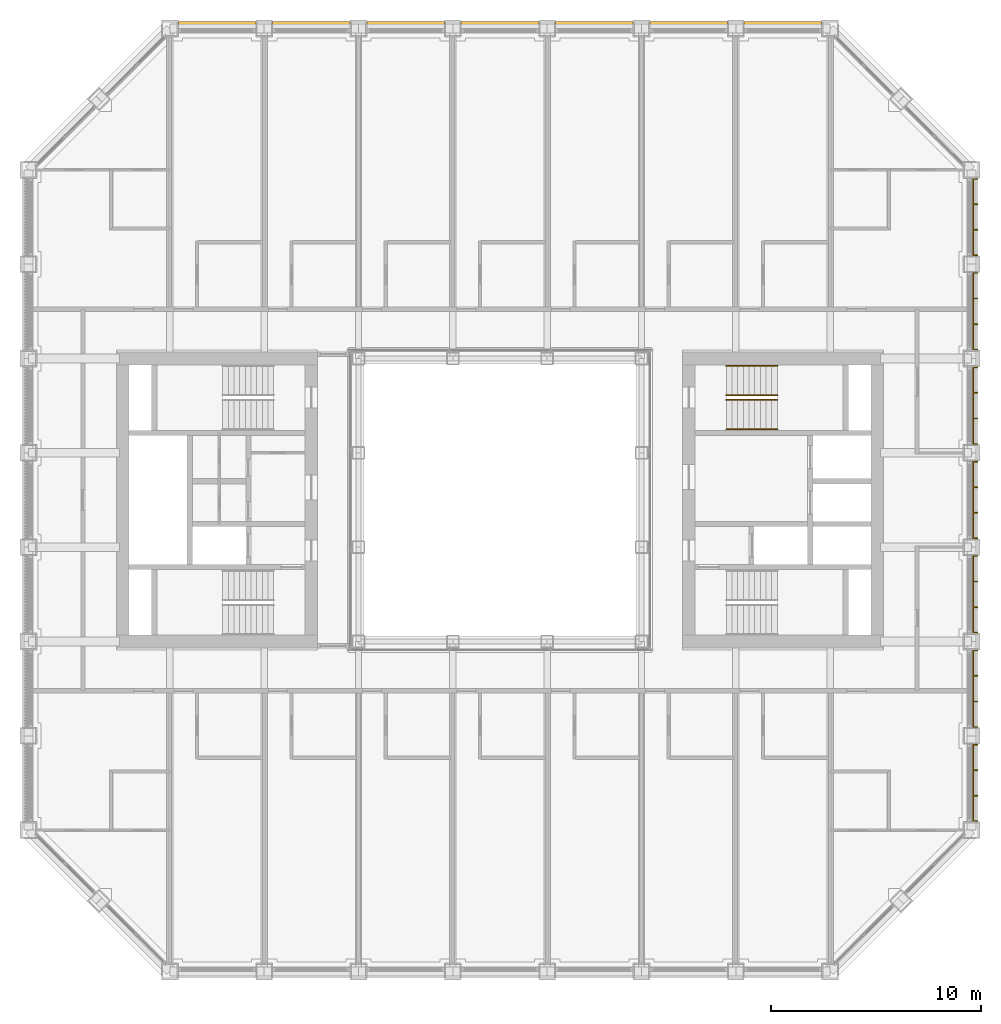
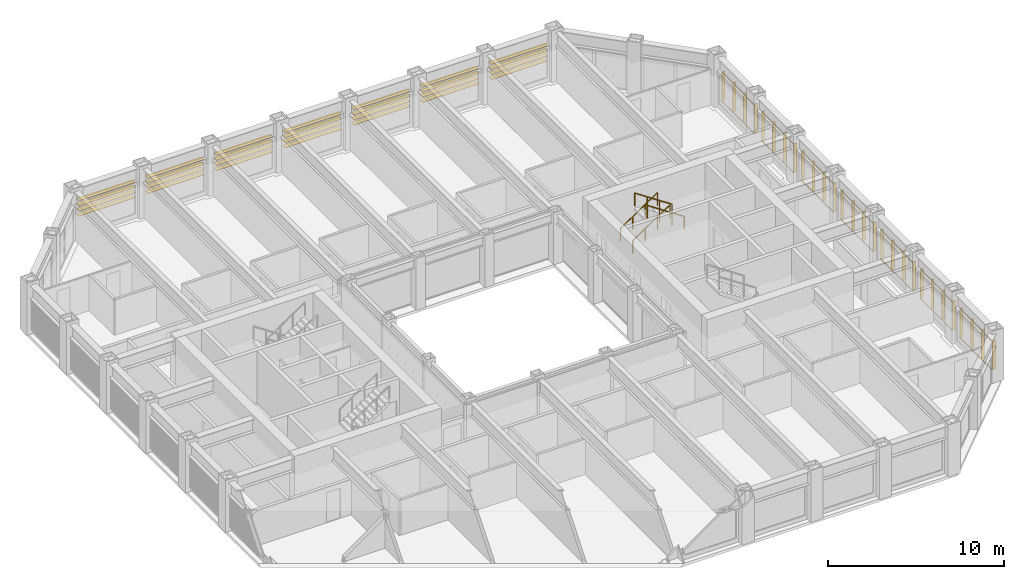
# One storey, part 18 of 18: 4 railings, 2 shading devices.
"""IFC4 building model written with IfcOpenShell, lengths in metres."""

from ifc_helpers import new_model, si_unit, direction, frame, origin, origin_2d, place, context, subcontext, project, spatial, rectangle, circle, extrude, material, type_object, element, save


model = new_model("IFC4")

# Units and contexts
model_context = context("Model", 3, precision=1e-05, world=origin(), true_north=direction((0.0, 1.0)))
body_context = subcontext(model_context, "Body", "Model", "MODEL_VIEW")
ifc_project = project(units=[si_unit("LENGTHUNIT", "METRE"), si_unit("AREAUNIT", "SQUARE_METRE"), si_unit("VOLUMEUNIT", "CUBIC_METRE"), si_unit("PLANEANGLEUNIT", "RADIAN"), si_unit("MASSUNIT", "GRAM", prefix="KILO")], contexts=[model_context])

# Site, building, storey
site_placement = place(None, origin())
site = spatial("IfcSite", under=ifc_project, at=site_placement, CompositionType="ELEMENT")
building_placement = place(site_placement, origin())
building = spatial("IfcBuilding", under=site, at=building_placement, Name="Msasa Ring Tower", CompositionType="ELEMENT")
storey_placement = place(building_placement, frame((0.0, 0.0, 125.60009765625)))
storey = spatial("IfcBuildingStorey", under=building, at=storey_placement, Name="L32", CompositionType="ELEMENT", Elevation=125.60009765625)

# Shading device
ifc_material_1 = material(Name="Extruded terracotta on aluminium carriers", Category="masonry")
shading_device_type_1 = type_object("IfcShadingDeviceType", Name="BS2 TERRACOTTA FIN SCREEN 40x200 AT 1350", PredefinedType="USERDEFINED", material=ifc_material_1)
shading_device_1_placement = place(storey_placement, origin())
element("IfcShadingDevice", 1, at=shading_device_1_placement, inside=storey, type_object=shading_device_type_1, Name="Terracotta fin screen E L32", ObjectType="BAGUETTE", PredefinedType="USERDEFINED", context=body_context, shape_type="SweptSolid", body=[
    extrude(rectangle(XDim=0.06005859375, YDim=0.0400390625, at=origin_2d()), frame((22.580078125, -15.35009765625, 0.329833984375), z_axis=(0.0, 1.0, 0.0), x_axis=(0.0, 0.0, 1.0)), (0.0, 0.0, 1.0), 3.699951171875),
    extrude(rectangle(XDim=0.06005859375, YDim=0.0400390625, at=origin_2d()), frame((22.580078125, -15.35009765625, 2.298828125), z_axis=(0.0, 1.0, 0.0), x_axis=(0.0, 0.0, 1.0)), (0.0, 0.0, 1.0), 3.699951171875),
    extrude(rectangle(XDim=0.0400390625, YDim=0.199951171875, at=origin_2d()), frame((22.695068359375, -15.330078125, 0.2998046875), z_axis=(0.0, 0.0, 1.0), x_axis=(0.0, 1.0, 0.0)), (0.0, 0.0, 1.0), 2.029052734375),
    extrude(rectangle(XDim=0.0400390625, YDim=0.199951171875, at=origin_2d()), frame((22.695068359375, -14.110107421875, 0.2998046875), z_axis=(0.0, 0.0, 1.0), x_axis=(0.0, 1.0, 0.0)), (0.0, 0.0, 1.0), 2.029052734375),
    extrude(rectangle(XDim=0.0400390625, YDim=0.199951171875, at=origin_2d()), frame((22.695068359375, -12.889892578125, 0.2998046875), z_axis=(0.0, 0.0, 1.0), x_axis=(0.0, 1.0, 0.0)), (0.0, 0.0, 1.0), 2.029052734375),
    extrude(rectangle(XDim=0.0400390625, YDim=0.199951171875, at=origin_2d()), frame((22.695068359375, -11.669921875, 0.2998046875), z_axis=(0.0, 0.0, 1.0), x_axis=(0.0, 1.0, 0.0)), (0.0, 0.0, 1.0), 2.029052734375),
    extrude(rectangle(XDim=0.06005859375, YDim=0.0400390625, at=origin_2d()), frame((22.580078125, -10.85009765625, 0.329833984375), z_axis=(0.0, 1.0, 0.0), x_axis=(0.0, 0.0, 1.0)), (0.0, 0.0, 1.0), 3.699951171875),
    extrude(rectangle(XDim=0.06005859375, YDim=0.0400390625, at=origin_2d()), frame((22.580078125, -10.85009765625, 2.298828125), z_axis=(0.0, 1.0, 0.0), x_axis=(0.0, 0.0, 1.0)), (0.0, 0.0, 1.0), 3.699951171875),
    extrude(rectangle(XDim=0.0400390625, YDim=0.199951171875, at=origin_2d()), frame((22.695068359375, -10.830078125, 0.2998046875), z_axis=(0.0, 0.0, 1.0), x_axis=(0.0, 1.0, 0.0)), (0.0, 0.0, 1.0), 2.029052734375),
    extrude(rectangle(XDim=0.0400390625, YDim=0.199951171875, at=origin_2d()), frame((22.695068359375, -9.610107421875, 0.2998046875), z_axis=(0.0, 0.0, 1.0), x_axis=(0.0, 1.0, 0.0)), (0.0, 0.0, 1.0), 2.029052734375),
    extrude(rectangle(XDim=0.0400390625, YDim=0.199951171875, at=origin_2d()), frame((22.695068359375, -8.389892578125, 0.2998046875), z_axis=(0.0, 0.0, 1.0), x_axis=(0.0, 1.0, 0.0)), (0.0, 0.0, 1.0), 2.029052734375),
    extrude(rectangle(XDim=0.0400390625, YDim=0.199951171875, at=origin_2d()), frame((22.695068359375, -7.169921875, 0.2998046875), z_axis=(0.0, 0.0, 1.0), x_axis=(0.0, 1.0, 0.0)), (0.0, 0.0, 1.0), 2.029052734375),
    extrude(rectangle(XDim=0.06005859375, YDim=0.0400390625, at=origin_2d()), frame((22.580078125, -6.35009765625, 0.329833984375), z_axis=(0.0, 1.0, 0.0), x_axis=(0.0, 0.0, 1.0)), (0.0, 0.0, 1.0), 3.699951171875),
    extrude(rectangle(XDim=0.06005859375, YDim=0.0400390625, at=origin_2d()), frame((22.580078125, -6.35009765625, 2.298828125), z_axis=(0.0, 1.0, 0.0), x_axis=(0.0, 0.0, 1.0)), (0.0, 0.0, 1.0), 3.699951171875),
    extrude(rectangle(XDim=0.0400390625, YDim=0.199951171875, at=origin_2d()), frame((22.695068359375, -6.330078125, 0.2998046875), z_axis=(0.0, 0.0, 1.0), x_axis=(0.0, 1.0, 0.0)), (0.0, 0.0, 1.0), 2.029052734375),
    extrude(rectangle(XDim=0.0400390625, YDim=0.199951171875, at=origin_2d()), frame((22.695068359375, -5.110107421875, 0.2998046875), z_axis=(0.0, 0.0, 1.0), x_axis=(0.0, 1.0, 0.0)), (0.0, 0.0, 1.0), 2.029052734375),
    extrude(rectangle(XDim=0.0400390625, YDim=0.199951171875, at=origin_2d()), frame((22.695068359375, -3.889892578125, 0.2998046875), z_axis=(0.0, 0.0, 1.0), x_axis=(0.0, 1.0, 0.0)), (0.0, 0.0, 1.0), 2.029052734375),
    extrude(rectangle(XDim=0.0400390625, YDim=0.199951171875, at=origin_2d()), frame((22.695068359375, -2.669921875, 0.2998046875), z_axis=(0.0, 0.0, 1.0), x_axis=(0.0, 1.0, 0.0)), (0.0, 0.0, 1.0), 2.029052734375),
    extrude(rectangle(XDim=0.06005859375, YDim=0.0400390625, at=origin_2d()), frame((22.580078125, -1.85009765625, 0.329833984375), z_axis=(0.0, 1.0, 0.0), x_axis=(0.0, 0.0, 1.0)), (0.0, 0.0, 1.0), 3.699951171875),
    extrude(rectangle(XDim=0.06005859375, YDim=0.0400390625, at=origin_2d()), frame((22.580078125, -1.85009765625, 2.298828125), z_axis=(0.0, 1.0, 0.0), x_axis=(0.0, 0.0, 1.0)), (0.0, 0.0, 1.0), 3.699951171875),
    extrude(rectangle(XDim=0.0400390625, YDim=0.199951171875, at=origin_2d()), frame((22.695068359375, -1.830078125, 0.2998046875), z_axis=(0.0, 0.0, 1.0), x_axis=(0.0, 1.0, 0.0)), (0.0, 0.0, 1.0), 2.029052734375),
    extrude(rectangle(XDim=0.0400390625, YDim=0.199951171875, at=origin_2d()), frame((22.695068359375, -0.610107421875, 0.2998046875), z_axis=(0.0, 0.0, 1.0), x_axis=(0.0, 1.0, 0.0)), (0.0, 0.0, 1.0), 2.029052734375),
    extrude(rectangle(XDim=0.0400390625, YDim=0.199951171875, at=origin_2d()), frame((22.695068359375, 0.610107421875, 0.2998046875), z_axis=(0.0, 0.0, 1.0), x_axis=(0.0, 1.0, 0.0)), (0.0, 0.0, 1.0), 2.029052734375),
    extrude(rectangle(XDim=0.0400390625, YDim=0.199951171875, at=origin_2d()), frame((22.695068359375, 1.830078125, 0.2998046875), z_axis=(0.0, 0.0, 1.0), x_axis=(0.0, 1.0, 0.0)), (0.0, 0.0, 1.0), 2.029052734375),
    extrude(rectangle(XDim=0.06005859375, YDim=0.0400390625, at=origin_2d()), frame((22.580078125, 2.64990234375, 0.329833984375), z_axis=(0.0, 1.0, 0.0), x_axis=(0.0, 0.0, 1.0)), (0.0, 0.0, 1.0), 3.699951171875),
    extrude(rectangle(XDim=0.06005859375, YDim=0.0400390625, at=origin_2d()), frame((22.580078125, 2.64990234375, 2.298828125), z_axis=(0.0, 1.0, 0.0), x_axis=(0.0, 0.0, 1.0)), (0.0, 0.0, 1.0), 3.699951171875),
    extrude(rectangle(XDim=0.0400390625, YDim=0.199951171875, at=origin_2d()), frame((22.695068359375, 2.669921875, 0.2998046875), z_axis=(0.0, 0.0, 1.0), x_axis=(0.0, 1.0, 0.0)), (0.0, 0.0, 1.0), 2.029052734375),
    extrude(rectangle(XDim=0.0400390625, YDim=0.199951171875, at=origin_2d()), frame((22.695068359375, 3.889892578125, 0.2998046875), z_axis=(0.0, 0.0, 1.0), x_axis=(0.0, 1.0, 0.0)), (0.0, 0.0, 1.0), 2.029052734375),
    extrude(rectangle(XDim=0.0400390625, YDim=0.199951171875, at=origin_2d()), frame((22.695068359375, 5.110107421875, 0.2998046875), z_axis=(0.0, 0.0, 1.0), x_axis=(0.0, 1.0, 0.0)), (0.0, 0.0, 1.0), 2.029052734375),
    extrude(rectangle(XDim=0.0400390625, YDim=0.199951171875, at=origin_2d()), frame((22.695068359375, 6.330078125, 0.2998046875), z_axis=(0.0, 0.0, 1.0), x_axis=(0.0, 1.0, 0.0)), (0.0, 0.0, 1.0), 2.029052734375),
    extrude(rectangle(XDim=0.06005859375, YDim=0.0400390625, at=origin_2d()), frame((22.580078125, 7.14990234375, 0.329833984375), z_axis=(0.0, 1.0, 0.0), x_axis=(0.0, 0.0, 1.0)), (0.0, 0.0, 1.0), 3.699951171875),
    extrude(rectangle(XDim=0.06005859375, YDim=0.0400390625, at=origin_2d()), frame((22.580078125, 7.14990234375, 2.298828125), z_axis=(0.0, 1.0, 0.0), x_axis=(0.0, 0.0, 1.0)), (0.0, 0.0, 1.0), 3.699951171875),
    extrude(rectangle(XDim=0.0400390625, YDim=0.199951171875, at=origin_2d()), frame((22.695068359375, 7.169921875, 0.2998046875), z_axis=(0.0, 0.0, 1.0), x_axis=(0.0, 1.0, 0.0)), (0.0, 0.0, 1.0), 2.029052734375),
    extrude(rectangle(XDim=0.0400390625, YDim=0.199951171875, at=origin_2d()), frame((22.695068359375, 8.389892578125, 0.2998046875), z_axis=(0.0, 0.0, 1.0), x_axis=(0.0, 1.0, 0.0)), (0.0, 0.0, 1.0), 2.029052734375),
    extrude(rectangle(XDim=0.0400390625, YDim=0.199951171875, at=origin_2d()), frame((22.695068359375, 9.610107421875, 0.2998046875), z_axis=(0.0, 0.0, 1.0), x_axis=(0.0, 1.0, 0.0)), (0.0, 0.0, 1.0), 2.029052734375),
    extrude(rectangle(XDim=0.0400390625, YDim=0.199951171875, at=origin_2d()), frame((22.695068359375, 10.830078125, 0.2998046875), z_axis=(0.0, 0.0, 1.0), x_axis=(0.0, 1.0, 0.0)), (0.0, 0.0, 1.0), 2.029052734375),
    extrude(rectangle(XDim=0.06005859375, YDim=0.0400390625, at=origin_2d()), frame((22.580078125, 11.64990234375, 0.329833984375), z_axis=(0.0, 1.0, 0.0), x_axis=(0.0, 0.0, 1.0)), (0.0, 0.0, 1.0), 3.699951171875),
    extrude(rectangle(XDim=0.06005859375, YDim=0.0400390625, at=origin_2d()), frame((22.580078125, 11.64990234375, 2.298828125), z_axis=(0.0, 1.0, 0.0), x_axis=(0.0, 0.0, 1.0)), (0.0, 0.0, 1.0), 3.699951171875),
    extrude(rectangle(XDim=0.0400390625, YDim=0.199951171875, at=origin_2d()), frame((22.695068359375, 11.669921875, 0.2998046875), z_axis=(0.0, 0.0, 1.0), x_axis=(0.0, 1.0, 0.0)), (0.0, 0.0, 1.0), 2.029052734375),
    extrude(rectangle(XDim=0.0400390625, YDim=0.199951171875, at=origin_2d()), frame((22.695068359375, 12.889892578125, 0.2998046875), z_axis=(0.0, 0.0, 1.0), x_axis=(0.0, 1.0, 0.0)), (0.0, 0.0, 1.0), 2.029052734375),
    extrude(rectangle(XDim=0.0400390625, YDim=0.199951171875, at=origin_2d()), frame((22.695068359375, 14.110107421875, 0.2998046875), z_axis=(0.0, 0.0, 1.0), x_axis=(0.0, 1.0, 0.0)), (0.0, 0.0, 1.0), 2.029052734375),
    extrude(rectangle(XDim=0.0400390625, YDim=0.199951171875, at=origin_2d()), frame((22.695068359375, 15.330078125, 0.2998046875), z_axis=(0.0, 0.0, 1.0), x_axis=(0.0, 1.0, 0.0)), (0.0, 0.0, 1.0), 2.029052734375),
])

# Railings
ifc_material_2 = material(Name="Stainless steel", Category="steel")
railing_type = type_object("IfcRailingType", Name="HR1 HANDRAIL 900", PredefinedType="HANDRAIL", material=ifc_material_2)
for number, where, name in (
    (2, (10.800048828125, 5.0, 0.179931640625), "Handrail stair SEB L32 1"),
    (3, (10.800048828125, 6.39990234375, 0.179931640625), "Handrail stair SEB L32 2"),
):
    element("IfcRailing", number, at=place(storey_placement, frame(where)), inside=storey, type_object=railing_type, Name=name, PredefinedType="HANDRAIL", context=body_context, shape_type="SweptSolid", body=[
        extrude(circle(Radius=0.02392578125, at=origin_2d()), frame((0.0, 0.0, 0.8759765625), z_axis=(0.832063155534, 0.0, 0.554680903946), x_axis=(0.0, 1.0, 0.0)), (0.0, 0.0, 1.0), 2.92041015625),
        extrude(circle(Radius=0.02099609375, at=origin_2d()), origin(), (0.0, 0.0, 1.0), 0.851806640625),
        extrude(circle(Radius=0.02099609375, at=origin_2d()), frame((0.81005859375, 0.0, 0.5400390625)), (0.0, 0.0, 1.0), 0.851806640625),
        extrude(circle(Radius=0.02099609375, at=origin_2d()), frame((1.619873046875, 0.0, 1.079833984375)), (0.0, 0.0, 1.0), 0.851806640625),
        extrude(circle(Radius=0.02099609375, at=origin_2d()), frame((2.429931640625, 0.0, 1.619873046875)), (0.0, 0.0, 1.0), 0.851806640625),
    ])
for number, where, name in (
    (4, (13.22998046875, 3.375, 1.97998046875), "Handrail stair SEB L32 3"),
    (5, (13.22998046875, 4.77490234375, 1.97998046875), "Handrail stair SEB L32 4"),
):
    element("IfcRailing", number, at=place(storey_placement, frame(where)), inside=storey, type_object=railing_type, Name=name, PredefinedType="HANDRAIL", context=body_context, shape_type="SweptSolid", body=[
        extrude(circle(Radius=0.02392578125, at=origin_2d()), frame((0.0, 0.0, 0.8759765625), z_axis=(-0.832063155534, 0.0, 0.554680903946), x_axis=(0.0, -1.0, 0.0)), (0.0, 0.0, 1.0), 2.92041015625),
        extrude(circle(Radius=0.02099609375, at=origin_2d()), origin(), (0.0, 0.0, 1.0), 0.851806640625),
        extrude(circle(Radius=0.02099609375, at=origin_2d()), frame((-0.81005859375, 0.0, 0.5400390625)), (0.0, 0.0, 1.0), 0.851806640625),
        extrude(circle(Radius=0.02099609375, at=origin_2d()), frame((-1.619873046875, 0.0, 1.079833984375)), (0.0, 0.0, 1.0), 0.851806640625),
        extrude(circle(Radius=0.02099609375, at=origin_2d()), frame((-2.429931640625, 0.0, 1.619873046875)), (0.0, 0.0, 1.0), 0.851806640625),
    ])

# Shading device
ifc_material_3 = material(Name="Extruded terracotta blades", Category="masonry")
shading_device_type_2 = type_object("IfcShadingDeviceType", Name="SS1 TERRACOTTA SUNSHADE 4 BLADES 300x40 AT 350", PredefinedType="USERDEFINED", material=ifc_material_3)
shading_device_2_placement = place(storey_placement, origin())
element("IfcShadingDevice", 6, at=shading_device_2_placement, inside=storey, type_object=shading_device_type_2, Name="Terracotta sunshade N L32", ObjectType="SUNSHADE", PredefinedType="USERDEFINED", context=body_context, shape_type="SweptSolid", body=[
    extrude(rectangle(XDim=0.0400390625, YDim=0.300048828125, at=origin_2d()), frame((-15.35009765625, 22.679931640625, 2.308837890625), z_axis=(1.0, 0.0, 0.0), x_axis=(0.0, 0.0, 1.0)), (0.0, 0.0, 1.0), 3.699951171875),
    extrude(rectangle(XDim=0.0400390625, YDim=0.300048828125, at=origin_2d()), frame((-15.35009765625, 22.679931640625, 1.958984375), z_axis=(1.0, 0.0, 0.0), x_axis=(0.0, 0.0, 1.0)), (0.0, 0.0, 1.0), 3.699951171875),
    extrude(rectangle(XDim=0.0400390625, YDim=0.300048828125, at=origin_2d()), frame((-15.35009765625, 22.679931640625, 1.60888671875), z_axis=(1.0, 0.0, 0.0), x_axis=(0.0, 0.0, 1.0)), (0.0, 0.0, 1.0), 3.699951171875),
    extrude(rectangle(XDim=0.0400390625, YDim=0.300048828125, at=origin_2d()), frame((-15.35009765625, 22.679931640625, 1.2587890625), z_axis=(1.0, 0.0, 0.0), x_axis=(0.0, 0.0, 1.0)), (0.0, 0.0, 1.0), 3.699951171875),
    extrude(rectangle(XDim=0.0400390625, YDim=0.300048828125, at=origin_2d()), frame((-10.85009765625, 22.679931640625, 2.308837890625), z_axis=(1.0, 0.0, 0.0), x_axis=(0.0, 0.0, 1.0)), (0.0, 0.0, 1.0), 3.699951171875),
    extrude(rectangle(XDim=0.0400390625, YDim=0.300048828125, at=origin_2d()), frame((-10.85009765625, 22.679931640625, 1.958984375), z_axis=(1.0, 0.0, 0.0), x_axis=(0.0, 0.0, 1.0)), (0.0, 0.0, 1.0), 3.699951171875),
    extrude(rectangle(XDim=0.0400390625, YDim=0.300048828125, at=origin_2d()), frame((-10.85009765625, 22.679931640625, 1.60888671875), z_axis=(1.0, 0.0, 0.0), x_axis=(0.0, 0.0, 1.0)), (0.0, 0.0, 1.0), 3.699951171875),
    extrude(rectangle(XDim=0.0400390625, YDim=0.300048828125, at=origin_2d()), frame((-10.85009765625, 22.679931640625, 1.2587890625), z_axis=(1.0, 0.0, 0.0), x_axis=(0.0, 0.0, 1.0)), (0.0, 0.0, 1.0), 3.699951171875),
    extrude(rectangle(XDim=0.0400390625, YDim=0.300048828125, at=origin_2d()), frame((-6.35009765625, 22.679931640625, 2.308837890625), z_axis=(1.0, 0.0, 0.0), x_axis=(0.0, 0.0, 1.0)), (0.0, 0.0, 1.0), 3.699951171875),
    extrude(rectangle(XDim=0.0400390625, YDim=0.300048828125, at=origin_2d()), frame((-6.35009765625, 22.679931640625, 1.958984375), z_axis=(1.0, 0.0, 0.0), x_axis=(0.0, 0.0, 1.0)), (0.0, 0.0, 1.0), 3.699951171875),
    extrude(rectangle(XDim=0.0400390625, YDim=0.300048828125, at=origin_2d()), frame((-6.35009765625, 22.679931640625, 1.60888671875), z_axis=(1.0, 0.0, 0.0), x_axis=(0.0, 0.0, 1.0)), (0.0, 0.0, 1.0), 3.699951171875),
    extrude(rectangle(XDim=0.0400390625, YDim=0.300048828125, at=origin_2d()), frame((-6.35009765625, 22.679931640625, 1.2587890625), z_axis=(1.0, 0.0, 0.0), x_axis=(0.0, 0.0, 1.0)), (0.0, 0.0, 1.0), 3.699951171875),
    extrude(rectangle(XDim=0.0400390625, YDim=0.300048828125, at=origin_2d()), frame((-1.85009765625, 22.679931640625, 2.308837890625), z_axis=(1.0, 0.0, 0.0), x_axis=(0.0, 0.0, 1.0)), (0.0, 0.0, 1.0), 3.699951171875),
    extrude(rectangle(XDim=0.0400390625, YDim=0.300048828125, at=origin_2d()), frame((-1.85009765625, 22.679931640625, 1.958984375), z_axis=(1.0, 0.0, 0.0), x_axis=(0.0, 0.0, 1.0)), (0.0, 0.0, 1.0), 3.699951171875),
    extrude(rectangle(XDim=0.0400390625, YDim=0.300048828125, at=origin_2d()), frame((-1.85009765625, 22.679931640625, 1.60888671875), z_axis=(1.0, 0.0, 0.0), x_axis=(0.0, 0.0, 1.0)), (0.0, 0.0, 1.0), 3.699951171875),
    extrude(rectangle(XDim=0.0400390625, YDim=0.300048828125, at=origin_2d()), frame((-1.85009765625, 22.679931640625, 1.2587890625), z_axis=(1.0, 0.0, 0.0), x_axis=(0.0, 0.0, 1.0)), (0.0, 0.0, 1.0), 3.699951171875),
    extrude(rectangle(XDim=0.0400390625, YDim=0.300048828125, at=origin_2d()), frame((2.64990234375, 22.679931640625, 2.308837890625), z_axis=(1.0, 0.0, 0.0), x_axis=(0.0, 0.0, 1.0)), (0.0, 0.0, 1.0), 3.699951171875),
    extrude(rectangle(XDim=0.0400390625, YDim=0.300048828125, at=origin_2d()), frame((2.64990234375, 22.679931640625, 1.958984375), z_axis=(1.0, 0.0, 0.0), x_axis=(0.0, 0.0, 1.0)), (0.0, 0.0, 1.0), 3.699951171875),
    extrude(rectangle(XDim=0.0400390625, YDim=0.300048828125, at=origin_2d()), frame((2.64990234375, 22.679931640625, 1.60888671875), z_axis=(1.0, 0.0, 0.0), x_axis=(0.0, 0.0, 1.0)), (0.0, 0.0, 1.0), 3.699951171875),
    extrude(rectangle(XDim=0.0400390625, YDim=0.300048828125, at=origin_2d()), frame((2.64990234375, 22.679931640625, 1.2587890625), z_axis=(1.0, 0.0, 0.0), x_axis=(0.0, 0.0, 1.0)), (0.0, 0.0, 1.0), 3.699951171875),
    extrude(rectangle(XDim=0.0400390625, YDim=0.300048828125, at=origin_2d()), frame((7.14990234375, 22.679931640625, 2.308837890625), z_axis=(1.0, 0.0, 0.0), x_axis=(0.0, 0.0, 1.0)), (0.0, 0.0, 1.0), 3.699951171875),
    extrude(rectangle(XDim=0.0400390625, YDim=0.300048828125, at=origin_2d()), frame((7.14990234375, 22.679931640625, 1.958984375), z_axis=(1.0, 0.0, 0.0), x_axis=(0.0, 0.0, 1.0)), (0.0, 0.0, 1.0), 3.699951171875),
    extrude(rectangle(XDim=0.0400390625, YDim=0.300048828125, at=origin_2d()), frame((7.14990234375, 22.679931640625, 1.60888671875), z_axis=(1.0, 0.0, 0.0), x_axis=(0.0, 0.0, 1.0)), (0.0, 0.0, 1.0), 3.699951171875),
    extrude(rectangle(XDim=0.0400390625, YDim=0.300048828125, at=origin_2d()), frame((7.14990234375, 22.679931640625, 1.2587890625), z_axis=(1.0, 0.0, 0.0), x_axis=(0.0, 0.0, 1.0)), (0.0, 0.0, 1.0), 3.699951171875),
    extrude(rectangle(XDim=0.0400390625, YDim=0.300048828125, at=origin_2d()), frame((11.64990234375, 22.679931640625, 2.308837890625), z_axis=(1.0, 0.0, 0.0), x_axis=(0.0, 0.0, 1.0)), (0.0, 0.0, 1.0), 3.699951171875),
    extrude(rectangle(XDim=0.0400390625, YDim=0.300048828125, at=origin_2d()), frame((11.64990234375, 22.679931640625, 1.958984375), z_axis=(1.0, 0.0, 0.0), x_axis=(0.0, 0.0, 1.0)), (0.0, 0.0, 1.0), 3.699951171875),
    extrude(rectangle(XDim=0.0400390625, YDim=0.300048828125, at=origin_2d()), frame((11.64990234375, 22.679931640625, 1.60888671875), z_axis=(1.0, 0.0, 0.0), x_axis=(0.0, 0.0, 1.0)), (0.0, 0.0, 1.0), 3.699951171875),
    extrude(rectangle(XDim=0.0400390625, YDim=0.300048828125, at=origin_2d()), frame((11.64990234375, 22.679931640625, 1.2587890625), z_axis=(1.0, 0.0, 0.0), x_axis=(0.0, 0.0, 1.0)), (0.0, 0.0, 1.0), 3.699951171875),
])

save(model, "model.ifc")
